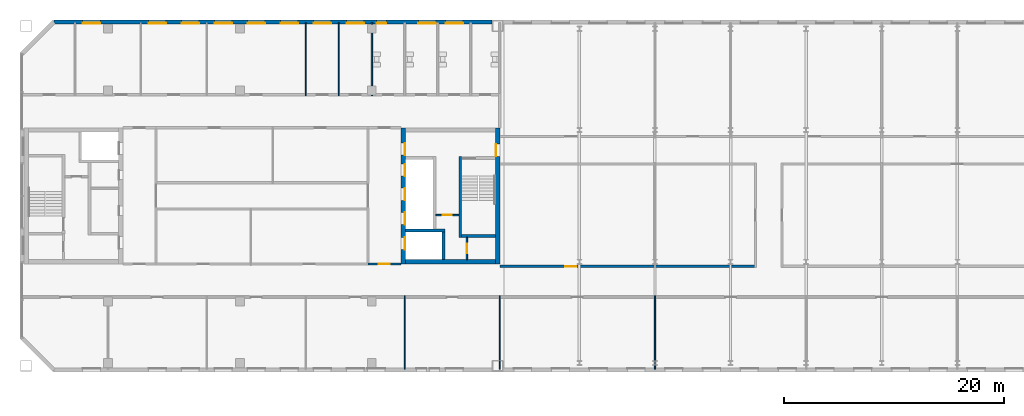
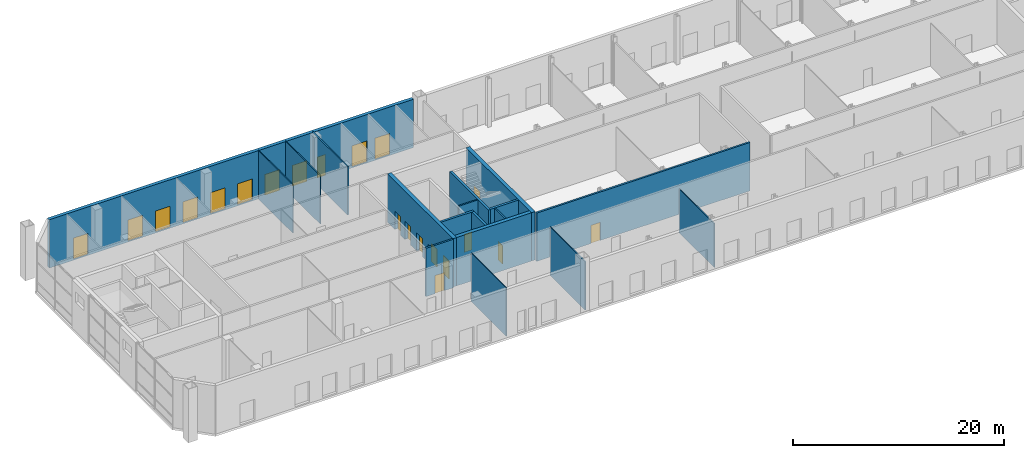
# One storey, part 10 of 20: 18 walls, 11 windows, 10 doors, 21 openings.
"""IFC4 building model written with IfcOpenShell, lengths in metres."""

from ifc_helpers import new_model, si_unit, direction, frame, frame_2d, origin, place, context, subcontext, project, spatial, rectangle, extrude, material, layer, layer_set, type_object, element, fill, save


model = new_model("IFC4")

# Units and contexts
model_context = context("Model", 3, precision=1e-05, world=origin(), true_north=direction((0.0, 1.0)))
body_context = subcontext(model_context, "Body", "Model", "MODEL_VIEW")
ifc_project = project(units=[si_unit("LENGTHUNIT", "METRE"), si_unit("AREAUNIT", "SQUARE_METRE"), si_unit("VOLUMEUNIT", "CUBIC_METRE"), si_unit("PLANEANGLEUNIT", "RADIAN"), si_unit("MASSUNIT", "GRAM", prefix="KILO")], contexts=[model_context])

# Site, building, storey
site_placement = place(None, origin())
site = spatial("IfcSite", under=ifc_project, at=site_placement, CompositionType="ELEMENT")
building_placement = place(site_placement, origin())
building = spatial("IfcBuilding", under=site, at=building_placement, Name="Tuart Gate Housing", CompositionType="ELEMENT")
storey_placement = place(building_placement, frame((0.0, 0.0, 215.199951171875)))
storey = spatial("IfcBuildingStorey", under=building, at=storey_placement, Name="L61", CompositionType="ELEMENT", Elevation=215.199951171875)

# Wall
ifc_material_1 = material(Name="Gypsum board on steel studs", Category="steel")
ifc_layer_1 = layer(ifc_material_1, 0.14990234375)
ifc_layer_set_1 = layer_set([ifc_layer_1], Name="Bathroom wall 150")
wall_type_1 = type_object("IfcWallType", Name="Bathroom wall 150", PredefinedType="PLUMBINGWALL", material=ifc_layer_set_1)
wall_1_placement = place(storey_placement, frame((64.0, 79.10009765625, 0.0), z_axis=(0.0, 0.0, 1.0), x_axis=(0.0, 1.0, 0.0)))
element("IfcWall", 1, at=wall_1_placement, inside=storey, type_object=wall_type_1, Name="Bathroom wall 150", PredefinedType="PLUMBINGWALL", context=body_context, shape_type="SweptSolid", body=[
    extrude(rectangle(XDim=6.659912109375, YDim=0.14990234375, at=frame_2d((3.330078125, 0.0))), origin(), (0.0, 0.0, 1.0), 5.60009765625),
])

# Wall, openings, windows
ifc_material_2 = material(Name="Brick", Category="masonry")
ifc_layer_2 = layer(ifc_material_2, 0.360107421875)
ifc_layer_set_2 = layer_set([ifc_layer_2], Name="Brick pier and spandrel wall 360")
wall_type_2 = type_object("IfcWallType", Name="Brick pier and spandrel wall 360", PredefinedType="STANDARD", material=ifc_layer_set_2)
wall_2_placement = place(storey_placement, frame((74.949951171875, 85.820068359375, 0.0), z_axis=(0.0, 0.0, 1.0), x_axis=(-1.0, 0.0, 0.0)))
wall_2 = element("IfcWall", 2, at=wall_2_placement, inside=storey, type_object=wall_type_2, Name="External wall BLK-N L61", PredefinedType="STANDARD", context=body_context, shape_type="SweptSolid", body=[
    extrude(rectangle(XDim=39.87548828125, YDim=0.360107421875, at=frame_2d((19.937744140625, 0.0))), origin(), (0.0, 0.0, 1.0), 5.60009765625),
])
opening_1_placement = place(wall_2_placement, frame((2.64990234375, 0.0, 0.14990234375)))
opening_1 = element("IfcOpeningElement", 3, at=opening_1_placement, cuts=wall_2, Name="Opening W2", PredefinedType="OPENING", context=body_context, shape_type="SweptSolid", body=[
    extrude(rectangle(XDim=1.60009765625, YDim=2.39990234375, at=frame_2d((0.800048828125, 1.199951171875))), frame((0.0, 0.18994140625, 0.0), z_axis=(0.0, -1.0, 0.0), x_axis=(1.0, 0.0, 0.0)), (0.0, 0.0, 1.0), 0.380126953125),
])
opening_2_placement = place(wall_2_placement, frame((5.125, 0.0, 0.14990234375)))
opening_2 = element("IfcOpeningElement", 4, at=opening_2_placement, cuts=wall_2, Name="Opening W2", PredefinedType="OPENING", context=body_context, shape_type="SweptSolid", body=[
    extrude(rectangle(XDim=1.60009765625, YDim=2.39990234375, at=frame_2d((0.800048828125, 1.199951171875))), frame((0.0, 0.18994140625, 0.0), z_axis=(0.0, -1.0, 0.0), x_axis=(1.0, 0.0, 0.0)), (0.0, 0.0, 1.0), 0.380126953125),
])
opening_3_placement = place(wall_2_placement, frame((9.625, 0.0, 0.14990234375)))
opening_3 = element("IfcOpeningElement", 5, at=opening_3_placement, cuts=wall_2, Name="Opening W2B", PredefinedType="OPENING", context=body_context, shape_type="SweptSolid", body=[
    extrude(rectangle(XDim=0.89990234375, YDim=2.39990234375, at=frame_2d((0.449951171875, 1.199951171875))), frame((0.0, 0.18994140625, 0.0), z_axis=(0.0, -1.0, 0.0), x_axis=(1.0, 0.0, 0.0)), (0.0, 0.0, 1.0), 0.380126953125),
])
opening_4_placement = place(wall_2_placement, frame((11.64990234375, 0.0, 0.14990234375)))
opening_4 = element("IfcOpeningElement", 6, at=opening_4_placement, cuts=wall_2, Name="Opening W2", PredefinedType="OPENING", context=body_context, shape_type="SweptSolid", body=[
    extrude(rectangle(XDim=1.60009765625, YDim=2.39990234375, at=frame_2d((0.800048828125, 1.199951171875))), frame((0.0, 0.18994140625, 0.0), z_axis=(0.0, -1.0, 0.0), x_axis=(1.0, 0.0, 0.0)), (0.0, 0.0, 1.0), 0.380126953125),
])
opening_5_placement = place(wall_2_placement, frame((14.64990234375, 0.0, 0.14990234375)))
opening_5 = element("IfcOpeningElement", 7, at=opening_5_placement, cuts=wall_2, Name="Opening W2", PredefinedType="OPENING", context=body_context, shape_type="SweptSolid", body=[
    extrude(rectangle(XDim=1.60009765625, YDim=2.39990234375, at=frame_2d((0.800048828125, 1.199951171875))), frame((0.0, 0.18994140625, 0.0), z_axis=(0.0, -1.0, 0.0), x_axis=(1.0, 0.0, 0.0)), (0.0, 0.0, 1.0), 0.380126953125),
])
opening_6_placement = place(wall_2_placement, frame((17.64990234375, 0.0, 0.14990234375)))
opening_6 = element("IfcOpeningElement", 8, at=opening_6_placement, cuts=wall_2, Name="Opening W2", PredefinedType="OPENING", context=body_context, shape_type="SweptSolid", body=[
    extrude(rectangle(XDim=1.60009765625, YDim=2.39990234375, at=frame_2d((0.800048828125, 1.199951171875))), frame((0.0, 0.18994140625, 0.0), z_axis=(0.0, -1.0, 0.0), x_axis=(1.0, 0.0, 0.0)), (0.0, 0.0, 1.0), 0.380126953125),
])
opening_7_placement = place(wall_2_placement, frame((20.64990234375, 0.0, 0.14990234375)))
opening_7 = element("IfcOpeningElement", 9, at=opening_7_placement, cuts=wall_2, Name="Opening W2", PredefinedType="OPENING", context=body_context, shape_type="SweptSolid", body=[
    extrude(rectangle(XDim=1.60009765625, YDim=2.39990234375, at=frame_2d((0.800048828125, 1.199951171875))), frame((0.0, 0.18994140625, 0.0), z_axis=(0.0, -1.0, 0.0), x_axis=(1.0, 0.0, 0.0)), (0.0, 0.0, 1.0), 0.380126953125),
])
opening_8_placement = place(wall_2_placement, frame((23.64990234375, 0.0, 0.14990234375)))
opening_8 = element("IfcOpeningElement", 10, at=opening_8_placement, cuts=wall_2, Name="Opening W2", PredefinedType="OPENING", context=body_context, shape_type="SweptSolid", body=[
    extrude(rectangle(XDim=1.60009765625, YDim=2.39990234375, at=frame_2d((0.800048828125, 1.199951171875))), frame((0.0, 0.18994140625, 0.0), z_axis=(0.0, -1.0, 0.0), x_axis=(1.0, 0.0, 0.0)), (0.0, 0.0, 1.0), 0.380126953125),
])
opening_9_placement = place(wall_2_placement, frame((26.64990234375, 0.0, 0.14990234375)))
opening_9 = element("IfcOpeningElement", 11, at=opening_9_placement, cuts=wall_2, Name="Opening W2", PredefinedType="OPENING", context=body_context, shape_type="SweptSolid", body=[
    extrude(rectangle(XDim=1.60009765625, YDim=2.39990234375, at=frame_2d((0.800048828125, 1.199951171875))), frame((0.0, 0.18994140625, 0.0), z_axis=(0.0, -1.0, 0.0), x_axis=(1.0, 0.0, 0.0)), (0.0, 0.0, 1.0), 0.380126953125),
])
opening_10_placement = place(wall_2_placement, frame((29.64990234375, 0.0, 0.14990234375)))
opening_10 = element("IfcOpeningElement", 12, at=opening_10_placement, cuts=wall_2, Name="Opening W2", PredefinedType="OPENING", context=body_context, shape_type="SweptSolid", body=[
    extrude(rectangle(XDim=1.60009765625, YDim=2.39990234375, at=frame_2d((0.800048828125, 1.199951171875))), frame((0.0, 0.18994140625, 0.0), z_axis=(0.0, -1.0, 0.0), x_axis=(1.0, 0.0, 0.0)), (0.0, 0.0, 1.0), 0.380126953125),
])
opening_11_placement = place(wall_2_placement, frame((35.64990234375, 0.0, 0.14990234375)))
opening_11 = element("IfcOpeningElement", 13, at=opening_11_placement, cuts=wall_2, Name="Opening W2", PredefinedType="OPENING", context=body_context, shape_type="SweptSolid", body=[
    extrude(rectangle(XDim=1.60009765625, YDim=2.39990234375, at=frame_2d((0.800048828125, 1.199951171875))), frame((0.0, 0.18994140625, 0.0), z_axis=(0.0, -1.0, 0.0), x_axis=(1.0, 0.0, 0.0)), (0.0, 0.0, 1.0), 0.380126953125),
])
ifc_material_3 = material(Name="Aluminium frame with clear glass", Category="aluminium")
window_type_1 = type_object("IfcWindowType", Name="Garden lounge window 1600 x 2400", PartitioningType="SINGLE_PANEL", PredefinedType="WINDOW", material=ifc_material_3)
window_1_placement = place(opening_1_placement, origin())
window_1 = element("IfcWindow", 14, at=window_1_placement, inside=storey, type_object=window_type_1, Name="Window W2", OverallHeight=2.39990234375, OverallWidth=1.60009765625, PartitioningType="SINGLE_PANEL", PredefinedType="WINDOW", context=body_context, shape_type="SweptSolid", body=[
    extrude(rectangle(XDim=1.60009765625, YDim=2.39990234375, at=frame_2d((0.800048828125, 1.199951171875))), frame((0.0, 0.150146484375, 0.0), z_axis=(0.0, -1.0, 0.0), x_axis=(1.0, 0.0, 0.0)), (0.0, 0.0, 1.0), 0.06005859375),
])
fill(opening_1, window_1)
window_2_placement = place(opening_2_placement, origin())
window_2 = element("IfcWindow", 15, at=window_2_placement, inside=storey, type_object=window_type_1, Name="Window W2", OverallHeight=2.39990234375, OverallWidth=1.60009765625, PartitioningType="SINGLE_PANEL", PredefinedType="WINDOW", context=body_context, shape_type="SweptSolid", body=[
    extrude(rectangle(XDim=1.60009765625, YDim=2.39990234375, at=frame_2d((0.800048828125, 1.199951171875))), frame((0.0, 0.150146484375, 0.0), z_axis=(0.0, -1.0, 0.0), x_axis=(1.0, 0.0, 0.0)), (0.0, 0.0, 1.0), 0.06005859375),
])
fill(opening_2, window_2)
window_3_placement = place(opening_4_placement, origin())
window_3 = element("IfcWindow", 16, at=window_3_placement, inside=storey, type_object=window_type_1, Name="Window W2", OverallHeight=2.39990234375, OverallWidth=1.60009765625, PartitioningType="SINGLE_PANEL", PredefinedType="WINDOW", context=body_context, shape_type="SweptSolid", body=[
    extrude(rectangle(XDim=1.60009765625, YDim=2.39990234375, at=frame_2d((0.800048828125, 1.199951171875))), frame((0.0, 0.150146484375, 0.0), z_axis=(0.0, -1.0, 0.0), x_axis=(1.0, 0.0, 0.0)), (0.0, 0.0, 1.0), 0.06005859375),
])
fill(opening_4, window_3)
window_4_placement = place(opening_5_placement, origin())
window_4 = element("IfcWindow", 17, at=window_4_placement, inside=storey, type_object=window_type_1, Name="Window W2", OverallHeight=2.39990234375, OverallWidth=1.60009765625, PartitioningType="SINGLE_PANEL", PredefinedType="WINDOW", context=body_context, shape_type="SweptSolid", body=[
    extrude(rectangle(XDim=1.60009765625, YDim=2.39990234375, at=frame_2d((0.800048828125, 1.199951171875))), frame((0.0, 0.150146484375, 0.0), z_axis=(0.0, -1.0, 0.0), x_axis=(1.0, 0.0, 0.0)), (0.0, 0.0, 1.0), 0.06005859375),
])
fill(opening_5, window_4)
window_5_placement = place(opening_6_placement, origin())
window_5 = element("IfcWindow", 18, at=window_5_placement, inside=storey, type_object=window_type_1, Name="Window W2", OverallHeight=2.39990234375, OverallWidth=1.60009765625, PartitioningType="SINGLE_PANEL", PredefinedType="WINDOW", context=body_context, shape_type="SweptSolid", body=[
    extrude(rectangle(XDim=1.60009765625, YDim=2.39990234375, at=frame_2d((0.800048828125, 1.199951171875))), frame((0.0, 0.150146484375, 0.0), z_axis=(0.0, -1.0, 0.0), x_axis=(1.0, 0.0, 0.0)), (0.0, 0.0, 1.0), 0.06005859375),
])
fill(opening_6, window_5)
window_6_placement = place(opening_7_placement, origin())
window_6 = element("IfcWindow", 19, at=window_6_placement, inside=storey, type_object=window_type_1, Name="Window W2", OverallHeight=2.39990234375, OverallWidth=1.60009765625, PartitioningType="SINGLE_PANEL", PredefinedType="WINDOW", context=body_context, shape_type="SweptSolid", body=[
    extrude(rectangle(XDim=1.60009765625, YDim=2.39990234375, at=frame_2d((0.800048828125, 1.199951171875))), frame((0.0, 0.150146484375, 0.0), z_axis=(0.0, -1.0, 0.0), x_axis=(1.0, 0.0, 0.0)), (0.0, 0.0, 1.0), 0.06005859375),
])
fill(opening_7, window_6)
window_7_placement = place(opening_8_placement, origin())
window_7 = element("IfcWindow", 20, at=window_7_placement, inside=storey, type_object=window_type_1, Name="Window W2", OverallHeight=2.39990234375, OverallWidth=1.60009765625, PartitioningType="SINGLE_PANEL", PredefinedType="WINDOW", context=body_context, shape_type="SweptSolid", body=[
    extrude(rectangle(XDim=1.60009765625, YDim=2.39990234375, at=frame_2d((0.800048828125, 1.199951171875))), frame((0.0, 0.150146484375, 0.0), z_axis=(0.0, -1.0, 0.0), x_axis=(1.0, 0.0, 0.0)), (0.0, 0.0, 1.0), 0.06005859375),
])
fill(opening_8, window_7)
window_8_placement = place(opening_9_placement, origin())
window_8 = element("IfcWindow", 21, at=window_8_placement, inside=storey, type_object=window_type_1, Name="Window W2", OverallHeight=2.39990234375, OverallWidth=1.60009765625, PartitioningType="SINGLE_PANEL", PredefinedType="WINDOW", context=body_context, shape_type="SweptSolid", body=[
    extrude(rectangle(XDim=1.60009765625, YDim=2.39990234375, at=frame_2d((0.800048828125, 1.199951171875))), frame((0.0, 0.150146484375, 0.0), z_axis=(0.0, -1.0, 0.0), x_axis=(1.0, 0.0, 0.0)), (0.0, 0.0, 1.0), 0.06005859375),
])
fill(opening_9, window_8)
window_9_placement = place(opening_10_placement, origin())
window_9 = element("IfcWindow", 22, at=window_9_placement, inside=storey, type_object=window_type_1, Name="Window W2", OverallHeight=2.39990234375, OverallWidth=1.60009765625, PartitioningType="SINGLE_PANEL", PredefinedType="WINDOW", context=body_context, shape_type="SweptSolid", body=[
    extrude(rectangle(XDim=1.60009765625, YDim=2.39990234375, at=frame_2d((0.800048828125, 1.199951171875))), frame((0.0, 0.150146484375, 0.0), z_axis=(0.0, -1.0, 0.0), x_axis=(1.0, 0.0, 0.0)), (0.0, 0.0, 1.0), 0.06005859375),
])
fill(opening_10, window_9)
window_10_placement = place(opening_11_placement, origin())
window_10 = element("IfcWindow", 23, at=window_10_placement, inside=storey, type_object=window_type_1, Name="Window W2", OverallHeight=2.39990234375, OverallWidth=1.60009765625, PartitioningType="SINGLE_PANEL", PredefinedType="WINDOW", context=body_context, shape_type="SweptSolid", body=[
    extrude(rectangle(XDim=1.60009765625, YDim=2.39990234375, at=frame_2d((0.800048828125, 1.199951171875))), frame((0.0, 0.150146484375, 0.0), z_axis=(0.0, -1.0, 0.0), x_axis=(1.0, 0.0, 0.0)), (0.0, 0.0, 1.0), 0.06005859375),
])
fill(opening_11, window_10)
ifc_material_4 = material(Name="Aluminium frame with clear glass", Category="aluminium")
window_type_2 = type_object("IfcWindowType", Name="Garden lounge window 900 x 2400", PartitioningType="SINGLE_PANEL", PredefinedType="WINDOW", material=ifc_material_4)
window_11_placement = place(opening_3_placement, origin())
window_11 = element("IfcWindow", 24, at=window_11_placement, inside=storey, type_object=window_type_2, Name="Window W2B", OverallHeight=2.39990234375, OverallWidth=0.89990234375, PartitioningType="SINGLE_PANEL", PredefinedType="WINDOW", context=body_context, shape_type="SweptSolid", body=[
    extrude(rectangle(XDim=0.89990234375, YDim=2.39990234375, at=frame_2d((0.449951171875, 1.199951171875))), frame((0.0, 0.150146484375, 0.0), z_axis=(0.0, -1.0, 0.0), x_axis=(1.0, 0.0, 0.0)), (0.0, 0.0, 1.0), 0.06005859375),
])
fill(opening_3, window_11)

# Wall, opening, door
ifc_material_5 = material(Name="Plasterboard partition")
ifc_layer_3 = layer(ifc_material_5, 0.14990234375)
ifc_layer_set_3 = layer_set([ifc_layer_3], Name="Core partition 150")
wall_type_3 = type_object("IfcWallType", Name="Core partition 150", PredefinedType="PARTITIONING", material=ifc_layer_set_3)
wall_3_placement = place(storey_placement, frame((69.81494140625, 68.25, 0.0), z_axis=(0.0, 0.0, 1.0), x_axis=(1.0, 0.0, 0.0)))
wall_3 = element("IfcWall", 25, at=wall_3_placement, inside=storey, type_object=wall_type_3, Name="Core partition AG.3", PredefinedType="PARTITIONING", context=body_context, shape_type="SweptSolid", body=[
    extrude(rectangle(XDim=2.10009765625, YDim=0.14990234375, at=frame_2d((1.050048828125, 0.0))), origin(), (0.0, 0.0, 1.0), 5.60009765625),
])
opening_12_placement = place(wall_3_placement, frame((0.625, 0.0, 0.0)))
opening_12 = element("IfcOpeningElement", 26, at=opening_12_placement, cuts=wall_3, Name="Opening D3026", PredefinedType="OPENING", context=body_context, shape_type="SweptSolid", body=[
    extrude(rectangle(XDim=0.85009765625, YDim=2.10009765625, at=frame_2d((0.425048828125, 1.050048828125))), frame((0.0, 0.0849609375, 0.0), z_axis=(0.0, -1.0, 0.0), x_axis=(1.0, 0.0, 0.0)), (0.0, 0.0, 1.0), 0.169921875),
])
ifc_material_6 = material(Name="Steel fire door", Category="steel")
door_type_1 = type_object("IfcDoorType", Name="Riser door 850 x 2100 RH", OperationType="SINGLE_SWING_RIGHT", PredefinedType="DOOR", material=ifc_material_6)
door_1_placement = place(opening_12_placement, frame((0.85009765625, 0.0, 0.0), z_axis=(0.0, 0.0, 1.0), x_axis=(-1.0, 0.0, 0.0)))
door_1 = element("IfcDoor", 27, at=door_1_placement, inside=storey, type_object=door_type_1, Name="Service room door AG.E1", OperationType="SINGLE_SWING_RIGHT", OverallHeight=2.10009765625, OverallWidth=0.85009765625, PredefinedType="DOOR", context=body_context, shape_type="SweptSolid", body=[
    extrude(rectangle(XDim=0.85009765625, YDim=2.10009765625, at=frame_2d((0.425048828125, 1.050048828125))), frame((0.0, 0.025146484375, 0.0), z_axis=(0.0, -1.0, 0.0), x_axis=(1.0, 0.0, 0.0)), (0.0, 0.0, 1.0), 0.050048828125),
])
fill(opening_12, door_1)

wall_4_placement = place(storey_placement, frame((72.639892578125, 64.199951171875, 0.0), z_axis=(0.0, 0.0, 1.0), x_axis=(0.0, 1.0, 0.0)))
wall_4 = element("IfcWall", 28, at=wall_4_placement, inside=storey, type_object=wall_type_3, Name="Core partition AG.9", PredefinedType="PARTITIONING", context=body_context, shape_type="SweptSolid", body=[
    extrude(rectangle(XDim=2.025146484375, YDim=0.14990234375, at=frame_2d((1.0126953125, 0.0))), origin(), (0.0, 0.0, 1.0), 5.60009765625),
])
opening_13_placement = place(wall_4_placement, frame((0.58740234375, 0.0, 0.0)))
opening_13 = element("IfcOpeningElement", 29, at=opening_13_placement, cuts=wall_4, Name="Opening D3028", PredefinedType="OPENING", context=body_context, shape_type="SweptSolid", body=[
    extrude(rectangle(XDim=0.85009765625, YDim=2.10009765625, at=frame_2d((0.425048828125, 1.050048828125))), frame((0.0, 0.0849609375, 0.0), z_axis=(0.0, -1.0, 0.0), x_axis=(1.0, 0.0, 0.0)), (0.0, 0.0, 1.0), 0.169921875),
])
ifc_material_7 = material(Name="Steel fire door", Category="steel")
door_type_2 = type_object("IfcDoorType", Name="Service door 850 x 2100", OperationType="SINGLE_SWING_LEFT", PredefinedType="DOOR", material=ifc_material_7)
door_2_placement = place(opening_13_placement, origin())
door_2 = element("IfcDoor", 30, at=door_2_placement, inside=storey, type_object=door_type_2, Name="Service room door AG.E2", OperationType="SINGLE_SWING_LEFT", OverallHeight=2.10009765625, OverallWidth=0.85009765625, PredefinedType="DOOR", context=body_context, shape_type="SweptSolid", body=[
    extrude(rectangle(XDim=0.85009765625, YDim=2.10009765625, at=frame_2d((0.425048828125, 1.050048828125))), frame((0.0, 0.02490234375, 0.0), z_axis=(0.0, -1.0, 0.0), x_axis=(1.0, 0.0, 0.0)), (0.0, 0.0, 1.0), 0.050048828125),
])
fill(opening_13, door_2)

# Walls
ifc_material_8 = material(Name="Concrete C40", Category="concrete")
ifc_layer_4 = layer(ifc_material_8, 0.25)
ifc_layer_set_4 = layer_set([ifc_layer_4], Name="Core wall 250 C40")
wall_type_4 = type_object("IfcWallType", Name="Core wall 250 C40", PredefinedType="SHEAR", material=ifc_layer_set_4)
wall_5_placement = place(storey_placement, frame((72.1650390625, 66.35009765625, 0.0), z_axis=(0.0, 0.0, 1.0), x_axis=(1.0, 0.0, 0.0)))
element("IfcWall", 31, at=wall_5_placement, inside=storey, type_object=wall_type_4, Name="Core wall AG.1", PredefinedType="SHEAR", context=body_context, shape_type="SweptSolid", body=[
    extrude(rectangle(XDim=3.074951171875, YDim=0.25, at=frame_2d((1.53759765625, 0.0))), origin(), (0.0, 0.0, 1.0), 5.60009765625),
])
wall_6_placement = place(storey_placement, frame((67.0400390625, 66.85009765625, 0.0), z_axis=(0.0, 0.0, 1.0), x_axis=(1.0, 0.0, 0.0)))
element("IfcWall", 32, at=wall_6_placement, inside=storey, type_object=wall_type_4, Name="Core wall AG.2", PredefinedType="SHEAR", context=body_context, shape_type="SweptSolid", body=[
    extrude(rectangle(XDim=3.594970703125, YDim=0.25, at=frame_2d((1.79736328125, 0.0))), origin(), (0.0, 0.0, 1.0), 5.60009765625),
])
wall_7_placement = place(storey_placement, frame((70.510009765625, 64.199951171875, 0.0), z_axis=(0.0, 0.0, 1.0), x_axis=(0.0, 1.0, 0.0)))
element("IfcWall", 33, at=wall_7_placement, inside=storey, type_object=wall_type_4, Name="Core wall AG.7", PredefinedType="SHEAR", context=body_context, shape_type="SweptSolid", body=[
    extrude(rectangle(XDim=2.525146484375, YDim=0.25, at=frame_2d((1.2626953125, 0.0))), origin(), (0.0, 0.0, 1.0), 5.60009765625),
])
wall_8_placement = place(storey_placement, frame((72.0400390625, 66.22509765625, 0.0), z_axis=(0.0, 0.0, 1.0), x_axis=(0.0, 1.0, 0.0)))
element("IfcWall", 34, at=wall_8_placement, inside=storey, type_object=wall_type_4, Name="Core wall AG.8", PredefinedType="SHEAR", context=body_context, shape_type="SweptSolid", body=[
    extrude(rectangle(XDim=7.349853515625, YDim=0.25, at=frame_2d((3.6748046875, 0.0))), origin(), (0.0, 0.0, 1.0), 5.60009765625),
])

# Wall, openings, doors
ifc_material_9 = material(Name="Concrete C40", Category="concrete")
ifc_layer_5 = layer(ifc_material_9, 0.39990234375)
ifc_layer_set_5 = layer_set([ifc_layer_5], Name="Core wall 400 C40")
wall_type_5 = type_object("IfcWallType", Name="Core wall 400 C40", PredefinedType="SHEAR", material=ifc_layer_set_5)
wall_9_placement = place(storey_placement, frame((66.840087890625, 63.800048828125, 0.0), z_axis=(0.0, 0.0, 1.0), x_axis=(0.0, 1.0, 0.0)))
wall_9 = element("IfcWall", 35, at=wall_9_placement, inside=storey, type_object=wall_type_5, Name="Core wall AG front", PredefinedType="SHEAR", context=body_context, shape_type="SweptSolid", body=[
    extrude(rectangle(XDim=12.39990234375, YDim=0.39990234375, at=frame_2d((6.199951171875, 0.0))), origin(), (0.0, 0.0, 1.0), 5.60009765625),
])
opening_14_placement = place(wall_9_placement, frame((1.324951171875, 0.0, 0.0)))
opening_14 = element("IfcOpeningElement", 36, at=opening_14_placement, cuts=wall_9, Name="Opening LD-FA1", PredefinedType="OPENING", context=body_context, shape_type="SweptSolid", body=[
    extrude(rectangle(XDim=1.10009765625, YDim=2.10009765625, at=frame_2d((0.550048828125, 1.050048828125))), frame((0.0, 0.2099609375, 0.0), z_axis=(0.0, -1.0, 0.0), x_axis=(1.0, 0.0, 0.0)), (0.0, 0.0, 1.0), 0.419921875),
])
opening_15_placement = place(wall_9_placement, frame((3.60009765625, 0.0, 0.0)))
opening_15 = element("IfcOpeningElement", 37, at=opening_15_placement, cuts=wall_9, Name="Opening LD-LA1", PredefinedType="OPENING", context=body_context, shape_type="SweptSolid", body=[
    extrude(rectangle(XDim=1.10009765625, YDim=2.10009765625, at=frame_2d((0.550048828125, 1.050048828125))), frame((0.0, 0.2099609375, 0.0), z_axis=(0.0, -1.0, 0.0), x_axis=(1.0, 0.0, 0.0)), (0.0, 0.0, 1.0), 0.419921875),
])
opening_16_placement = place(wall_9_placement, frame((5.800048828125, 0.0, 0.0)))
opening_16 = element("IfcOpeningElement", 38, at=opening_16_placement, cuts=wall_9, Name="Opening LD-LA2", PredefinedType="OPENING", context=body_context, shape_type="SweptSolid", body=[
    extrude(rectangle(XDim=1.10009765625, YDim=2.10009765625, at=frame_2d((0.550048828125, 1.050048828125))), frame((0.0, 0.2099609375, 0.0), z_axis=(0.0, -1.0, 0.0), x_axis=(1.0, 0.0, 0.0)), (0.0, 0.0, 1.0), 0.419921875),
])
opening_17_placement = place(wall_9_placement, frame((8.0, 0.0, 0.0)))
opening_17 = element("IfcOpeningElement", 39, at=opening_17_placement, cuts=wall_9, Name="Opening LD-LA3", PredefinedType="OPENING", context=body_context, shape_type="SweptSolid", body=[
    extrude(rectangle(XDim=1.10009765625, YDim=2.10009765625, at=frame_2d((0.550048828125, 1.050048828125))), frame((0.0, 0.2099609375, 0.0), z_axis=(0.0, -1.0, 0.0), x_axis=(1.0, 0.0, 0.0)), (0.0, 0.0, 1.0), 0.419921875),
])
opening_18_placement = place(wall_9_placement, frame((9.89990234375, 0.0, 0.0)))
opening_18 = element("IfcOpeningElement", 40, at=opening_18_placement, cuts=wall_9, Name="Opening D3024", PredefinedType="OPENING", context=body_context, shape_type="SweptSolid", body=[
    extrude(rectangle(XDim=1.10009765625, YDim=2.10009765625, at=frame_2d((0.550048828125, 1.050048828125))), frame((0.0, 0.2099609375, 0.0), z_axis=(0.0, -1.0, 0.0), x_axis=(1.0, 0.0, 0.0)), (0.0, 0.0, 1.0), 0.419921875),
])
ifc_material_10 = material(Name="Stainless steel", Category="steel")
door_type_3 = type_object("IfcDoorType", Name="Landing door 1100 x 2100", OperationType="DOUBLE_DOOR_SLIDING", PredefinedType="DOOR", material=ifc_material_10)
door_3_placement = place(opening_14_placement, origin())
door_3 = element("IfcDoor", 41, at=door_3_placement, inside=storey, type_object=door_type_3, Name="Lift landing door FA1", OperationType="DOUBLE_DOOR_SLIDING", OverallHeight=2.10009765625, OverallWidth=1.10009765625, PredefinedType="DOOR", context=body_context, shape_type="SweptSolid", body=[
    extrude(rectangle(XDim=1.10009765625, YDim=2.10009765625, at=frame_2d((0.550048828125, 1.050048828125))), frame((0.0, -0.134765625, 0.0), z_axis=(0.0, -1.0, 0.0), x_axis=(1.0, 0.0, 0.0)), (0.0, 0.0, 1.0), 0.050048828125),
])
fill(opening_14, door_3)
door_4_placement = place(opening_15_placement, origin())
door_4 = element("IfcDoor", 42, at=door_4_placement, inside=storey, type_object=door_type_3, Name="Lift landing door LA1", OperationType="DOUBLE_DOOR_SLIDING", OverallHeight=2.10009765625, OverallWidth=1.10009765625, PredefinedType="DOOR", context=body_context, shape_type="SweptSolid", body=[
    extrude(rectangle(XDim=1.10009765625, YDim=2.10009765625, at=frame_2d((0.550048828125, 1.050048828125))), frame((0.0, -0.134765625, 0.0), z_axis=(0.0, -1.0, 0.0), x_axis=(1.0, 0.0, 0.0)), (0.0, 0.0, 1.0), 0.050048828125),
])
fill(opening_15, door_4)
door_5_placement = place(opening_16_placement, origin())
door_5 = element("IfcDoor", 43, at=door_5_placement, inside=storey, type_object=door_type_3, Name="Lift landing door LA2", OperationType="DOUBLE_DOOR_SLIDING", OverallHeight=2.10009765625, OverallWidth=1.10009765625, PredefinedType="DOOR", context=body_context, shape_type="SweptSolid", body=[
    extrude(rectangle(XDim=1.10009765625, YDim=2.10009765625, at=frame_2d((0.550048828125, 1.050048828125))), frame((0.0, -0.134765625, 0.0), z_axis=(0.0, -1.0, 0.0), x_axis=(1.0, 0.0, 0.0)), (0.0, 0.0, 1.0), 0.050048828125),
])
fill(opening_16, door_5)
door_6_placement = place(opening_17_placement, origin())
door_6 = element("IfcDoor", 44, at=door_6_placement, inside=storey, type_object=door_type_3, Name="Lift landing door LA3", OperationType="DOUBLE_DOOR_SLIDING", OverallHeight=2.10009765625, OverallWidth=1.10009765625, PredefinedType="DOOR", context=body_context, shape_type="SweptSolid", body=[
    extrude(rectangle(XDim=1.10009765625, YDim=2.10009765625, at=frame_2d((0.550048828125, 1.050048828125))), frame((0.0, -0.134765625, 0.0), z_axis=(0.0, -1.0, 0.0), x_axis=(1.0, 0.0, 0.0)), (0.0, 0.0, 1.0), 0.050048828125),
])
fill(opening_17, door_6)
ifc_material_11 = material(Name="Steel fire door", Category="steel")
door_type_4 = type_object("IfcDoorType", Name="Lobby door 1100 x 2100 RH", OperationType="SINGLE_SWING_RIGHT", PredefinedType="DOOR", material=ifc_material_11)
door_7_placement = place(opening_18_placement, frame((1.10009765625, 0.0, 0.0), z_axis=(0.0, 0.0, 1.0), x_axis=(-1.0, 0.0, 0.0)))
door_7 = element("IfcDoor", 45, at=door_7_placement, inside=storey, type_object=door_type_4, Name="Lobby entry door AG.EN", OperationType="SINGLE_SWING_RIGHT", OverallHeight=2.10009765625, OverallWidth=1.10009765625, PredefinedType="DOOR", context=body_context, shape_type="SweptSolid", body=[
    extrude(rectangle(XDim=1.10009765625, YDim=2.10009765625, at=frame_2d((0.550048828125, 1.050048828125))), frame((0.0, 0.184814453125, 0.0), z_axis=(0.0, -1.0, 0.0), x_axis=(1.0, 0.0, 0.0)), (0.0, 0.0, 1.0), 0.050048828125),
])
fill(opening_18, door_7)

# Wall, opening, door
wall_10_placement = place(storey_placement, frame((75.43994140625, 63.800048828125, 0.0), z_axis=(0.0, 0.0, 1.0), x_axis=(0.0, 1.0, 0.0)))
wall_10 = element("IfcWall", 46, at=wall_10_placement, inside=storey, type_object=wall_type_5, Name="Core wall AG back", PredefinedType="SHEAR", context=body_context, shape_type="SweptSolid", body=[
    extrude(rectangle(XDim=12.39990234375, YDim=0.39990234375, at=frame_2d((6.199951171875, 0.0))), origin(), (0.0, 0.0, 1.0), 5.60009765625),
])
opening_19_placement = place(wall_10_placement, frame((9.800048828125, 0.0, 0.0)))
opening_19 = element("IfcOpeningElement", 47, at=opening_19_placement, cuts=wall_10, Name="Opening D3025", PredefinedType="OPENING", context=body_context, shape_type="SweptSolid", body=[
    extrude(rectangle(XDim=1.10009765625, YDim=2.10009765625, at=frame_2d((0.550048828125, 1.050048828125))), frame((0.0, 0.2099609375, 0.0), z_axis=(0.0, -1.0, 0.0), x_axis=(1.0, 0.0, 0.0)), (0.0, 0.0, 1.0), 0.419921875),
])
ifc_material_12 = material(Name="Steel fire door", Category="steel")
door_type_5 = type_object("IfcDoorType", Name="Lobby door 1100 x 2100", OperationType="SINGLE_SWING_LEFT", PredefinedType="DOOR", material=ifc_material_12)
door_8_placement = place(opening_19_placement, origin())
door_8 = element("IfcDoor", 48, at=door_8_placement, inside=storey, type_object=door_type_5, Name="Link door AG.LK", OperationType="SINGLE_SWING_LEFT", OverallHeight=2.10009765625, OverallWidth=1.10009765625, PredefinedType="DOOR", context=body_context, shape_type="SweptSolid", body=[
    extrude(rectangle(XDim=1.10009765625, YDim=2.10009765625, at=frame_2d((0.550048828125, 1.050048828125))), frame((0.0, 0.18505859375, 0.0), z_axis=(0.0, -1.0, 0.0), x_axis=(1.0, 0.0, 0.0)), (0.0, 0.0, 1.0), 0.050048828125),
])
fill(opening_19, door_8)

# Wall
wall_11_placement = place(storey_placement, frame((67.0400390625, 64.0, 0.0), z_axis=(0.0, 0.0, 1.0), x_axis=(1.0, 0.0, 0.0)))
element("IfcWall", 49, at=wall_11_placement, inside=storey, type_object=wall_type_5, Name="Core wall AG south", PredefinedType="SHEAR", context=body_context, shape_type="SweptSolid", body=[
    extrude(rectangle(XDim=8.199951171875, YDim=0.39990234375, at=frame_2d((4.10009765625, 0.0))), origin(), (0.0, 0.0, 1.0), 5.60009765625),
])

# Wall, opening, door
ifc_material_13 = material(Name="Concrete masonry 15 MPa", Category="masonry")
ifc_layer_6 = layer(ifc_material_13, 0.199951171875)
ifc_layer_set_6 = layer_set([ifc_layer_6], Name="Corridor wall masonry 200")
wall_type_6 = type_object("IfcWallType", Name="Corridor wall masonry 200", PredefinedType="PARTITIONING", material=ifc_layer_set_6)
wall_12_placement = place(storey_placement, frame((75.639892578125, 63.60009765625, 0.0), z_axis=(0.0, 0.0, 1.0), x_axis=(1.0, 0.0, 0.0)))
wall_12 = element("IfcWall", 50, at=wall_12_placement, inside=storey, type_object=wall_type_6, Name="Corridor wall masonry 200", PredefinedType="PARTITIONING", context=body_context, shape_type="SweptSolid", body=[
    extrude(rectangle(XDim=23.360107421875, YDim=0.199951171875, at=frame_2d((11.68017578125, 0.0))), origin(), (0.0, 0.0, 1.0), 5.60009765625),
])
opening_20_placement = place(wall_12_placement, frame((5.955078125, 0.0, 0.0)))
opening_20 = element("IfcOpeningElement", 51, at=opening_20_placement, cuts=wall_12, Name="Opening D3042", PredefinedType="OPENING", context=body_context, shape_type="SweptSolid", body=[
    extrude(rectangle(XDim=1.0, YDim=2.10009765625, at=frame_2d((0.5, 1.050048828125))), frame((0.0, 0.10986328125, 0.0), z_axis=(0.0, -1.0, 0.0), x_axis=(1.0, 0.0, 0.0)), (0.0, 0.0, 1.0), 0.219970703125),
])
ifc_material_14 = material(Name="Timber door leaf in steel frame", Category="steel")
door_type_6 = type_object("IfcDoorType", Name="Fire door 1000", OperationType="SINGLE_SWING_LEFT", PredefinedType="DOOR", material=ifc_material_14)
door_9_placement = place(opening_20_placement, origin())
door_9 = element("IfcDoor", 52, at=door_9_placement, inside=storey, type_object=door_type_6, Name="Fire door 1000", OperationType="SINGLE_SWING_LEFT", OverallHeight=2.10009765625, OverallWidth=1.0, PredefinedType="DOOR", context=body_context, shape_type="SweptSolid", body=[
    extrude(rectangle(XDim=1.0, YDim=2.10009765625, at=frame_2d((0.5, 1.050048828125))), frame((0.0, 0.02490234375, 0.0), z_axis=(0.0, -1.0, 0.0), x_axis=(1.0, 0.0, 0.0)), (0.0, 0.0, 1.0), 0.050048828125),
])
fill(opening_20, door_9)

ifc_material_15 = material(Name="Concrete masonry 15 MPa", Category="masonry")
ifc_layer_7 = layer(ifc_material_15, 0.199951171875)
ifc_layer_set_7 = layer_set([ifc_layer_7], Name="Enclosure wall masonry 200")
wall_type_7 = type_object("IfcWallType", Name="Enclosure wall masonry 200", PredefinedType="PARTITIONING", material=ifc_layer_set_7)
wall_13_placement = place(storey_placement, frame((63.639892578125, 63.800048828125, 0.0), z_axis=(0.0, 0.0, 1.0), x_axis=(1.0, 0.0, 0.0)))
wall_13 = element("IfcWall", 53, at=wall_13_placement, inside=storey, type_object=wall_type_7, Name="Enclosure wall masonry 200", PredefinedType="PARTITIONING", context=body_context, shape_type="SweptSolid", body=[
    extrude(rectangle(XDim=3.0, YDim=0.199951171875, at=frame_2d((1.5, 0.0))), origin(), (0.0, 0.0, 1.0), 5.60009765625),
])
opening_21_placement = place(wall_13_placement, frame((1.0, 0.0, 0.0)))
opening_21 = element("IfcOpeningElement", 54, at=opening_21_placement, cuts=wall_13, Name="Opening D3032", PredefinedType="OPENING", context=body_context, shape_type="SweptSolid", body=[
    extrude(rectangle(XDim=1.0, YDim=2.10009765625, at=frame_2d((0.5, 1.050048828125))), frame((0.0, 0.10986328125, 0.0), z_axis=(0.0, -1.0, 0.0), x_axis=(1.0, 0.0, 0.0)), (0.0, 0.0, 1.0), 0.219970703125),
])
ifc_material_16 = material(Name="Timber door leaf in steel frame", Category="steel")
door_type_7 = type_object("IfcDoorType", Name="Lobby door 1000", OperationType="SINGLE_SWING_LEFT", PredefinedType="DOOR", material=ifc_material_16)
door_10_placement = place(opening_21_placement, origin())
door_10 = element("IfcDoor", 55, at=door_10_placement, inside=storey, type_object=door_type_7, Name="Lobby door 1000", OperationType="SINGLE_SWING_LEFT", OverallHeight=2.10009765625, OverallWidth=1.0, PredefinedType="DOOR", context=body_context, shape_type="SweptSolid", body=[
    extrude(rectangle(XDim=1.0, YDim=2.10009765625, at=frame_2d((0.5, 1.050048828125))), frame((0.0, 0.02490234375, 0.0), z_axis=(0.0, -1.0, 0.0), x_axis=(1.0, 0.0, 0.0)), (0.0, 0.0, 1.0), 0.050048828125),
])
fill(opening_21, door_10)

# Walls
ifc_material_17 = material(Name="Gypsum board on steel studs", Category="steel")
ifc_layer_8 = layer(ifc_material_17, 0.10009765625)
ifc_layer_set_8 = layer_set([ifc_layer_8], Name="Partition 100")
wall_type_8 = type_object("IfcWallType", Name="Partition 100", PredefinedType="PARTITIONING", material=ifc_layer_set_8)
for number, where, z_axis, x_axis, name in (
    (56, (58.0, 79.10009765625, 0.0), (0.0, 0.0, 1.0), (0.0, 1.0, 0.0), "Partition 100"),
    (57, (61.0, 79.10009765625, 0.0), (0.0, 0.0, 1.0), (0.0, 1.0, 0.0), "Partition 100"),
    (58, (67.0, 54.239990234375, 0.0), (0.0, 0.0, 1.0), (0.0, 1.0, 0.0), "Partition 100"),
    (59, (75.639892578125, 54.239990234375, 0.0), (0.0, 0.0, 1.0), (0.0, 1.0, 0.0), "Partition 100"),
):
    element("IfcWall", number, at=place(storey_placement, frame(where, z_axis=z_axis, x_axis=x_axis)), inside=storey, type_object=wall_type_8, Name=name, PredefinedType="PARTITIONING", context=body_context, shape_type="SweptSolid", body=[
        extrude(rectangle(XDim=6.659912109375, YDim=0.10009765625, at=frame_2d((3.330078125, 0.0))), origin(), (0.0, 0.0, 1.0), 5.60009765625),
    ])
wall_14_placement = place(storey_placement, frame((89.75, 54.239990234375, 0.0), z_axis=(0.0, 0.0, 1.0), x_axis=(0.0, 1.0, 0.0)))
element("IfcWall", 60, at=wall_14_placement, inside=storey, type_object=wall_type_8, Name="Partition 100", PredefinedType="PARTITIONING", context=body_context, shape_type="SweptSolid", body=[
    extrude(rectangle(XDim=6.659912109375, YDim=0.10009765625, at=frame_2d((3.330078125, 0.0))), origin(), (0.0, 0.0, 1.0), 5.067138671875),
])

save(model, "model.ifc")
